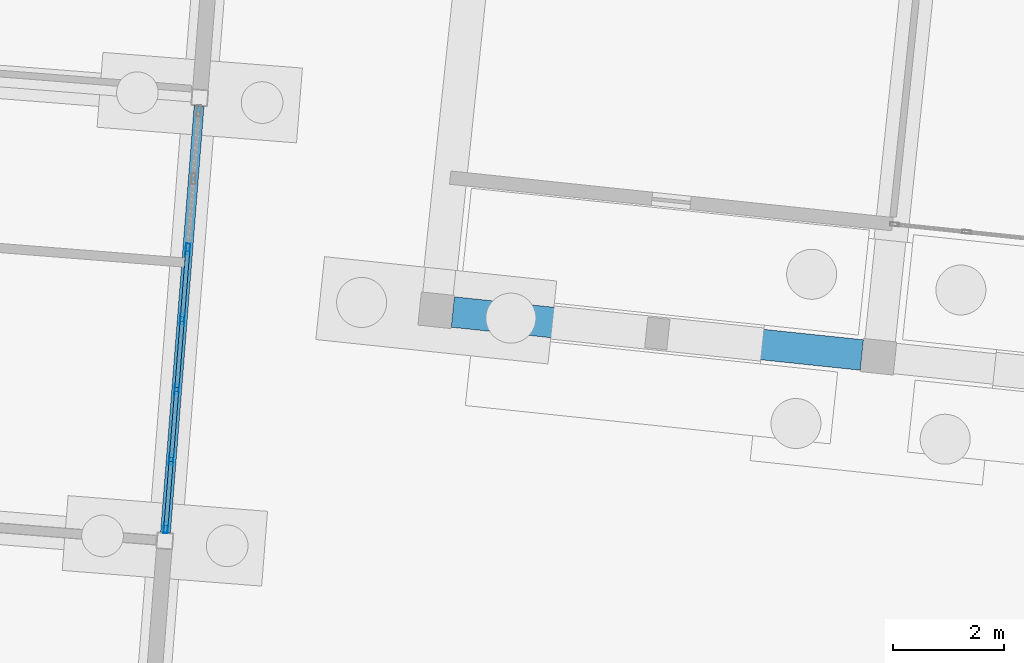
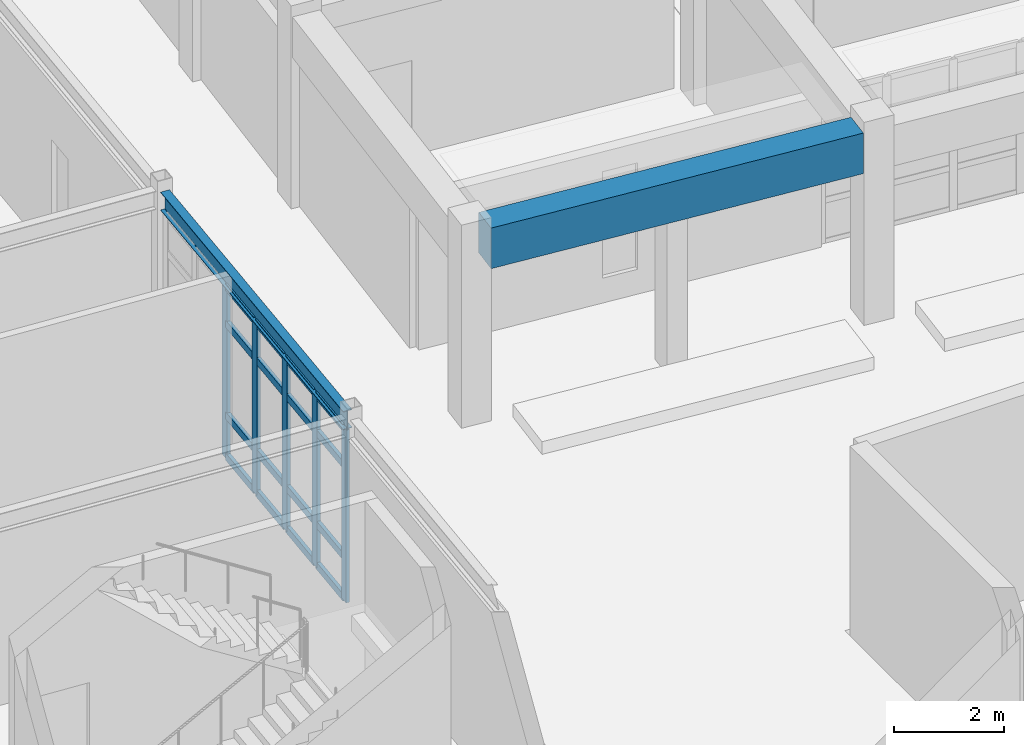
# One storey, part 75 of 154: 21 members, 2 beams, 1 element without a shape of its own.
"""IFC4 building model written with IfcOpenShell, lengths in metres."""

from ifc_helpers import new_model, si_unit, direction, frame, origin, origin_2d, place, context, subcontext, project, spatial, rectangle, hollow_rectangle, i_section, extrude, material, material_profile, profile_set, type_object, element, aggregate, save


model = new_model("IFC4")

# Units and contexts
model_context = context("Model", 3, precision=1e-05, world=origin(), true_north=direction((0.0, 1.0)))
body_context = subcontext(model_context, "Body", "Model", "MODEL_VIEW")
ifc_project = project(units=[si_unit("LENGTHUNIT", "METRE"), si_unit("AREAUNIT", "SQUARE_METRE"), si_unit("VOLUMEUNIT", "CUBIC_METRE"), si_unit("PLANEANGLEUNIT", "RADIAN"), si_unit("MASSUNIT", "GRAM", prefix="KILO")], contexts=[model_context])

# Site, building, storey
site_placement = place(None, origin())
site = spatial("IfcSite", under=ifc_project, at=site_placement, CompositionType="ELEMENT")
building_placement = place(site_placement, origin())
building = spatial("IfcBuilding", under=site, at=building_placement, Name="Kestramere Prow Commons", CompositionType="ELEMENT")
storey_placement = place(building_placement, origin())
storey = spatial("IfcBuildingStorey", under=building, at=storey_placement, Name="L00", CompositionType="ELEMENT", Elevation=0.0)

# Beam
ifc_material_1 = material(Name="Steel S355JR", Category="steel")
ifc_material_profile_1 = material_profile(ifc_material_1, i_section(OverallWidth=0.177978515625, OverallDepth=0.406494140625, WebThickness=0.0078125, FlangeThickness=0.0126953125, FilletRadius=0.01025390625, at=origin_2d()), Name="UB 406x178x60")
ifc_profile_set_1 = profile_set([ifc_material_profile_1], Name="Steel S355JR")
beam_type_1 = type_object("IfcBeamType", Name="BM-NR-01 UB 406x178x60 (EX)", PredefinedType="BEAM", material=ifc_profile_set_1)
beam_1_placement = place(storey_placement, frame((105.12841796875, 90.80029296875, 4.046875), z_axis=(0.078473620365, 0.996916190513, 0.0), x_axis=(-0.996916190513, 0.078473620365, 0.0)))
element("IfcBeam", 1, at=beam_1_placement, inside=storey, type_object=beam_type_1, Name="Nursery L00 Beam V 5-2", PredefinedType="BEAM", context=body_context, shape_type="SweptSolid", body=[
    extrude(i_section(OverallWidth=0.177978515625, OverallDepth=0.406494140625, WebThickness=0.0078125, FlangeThickness=0.0126953125, FilletRadius=0.01025390625, at=origin_2d()), origin(), (0.0, 0.0, 1.0), 7.699951171875),
])

# Curtain wall, members
ifc_material_2 = material(Name="Anodised Aluminium and Low-E Glass", Category="aluminium")
curtain_wall_type = type_object("IfcCurtainWallType", Name="CW-14 Glazed Curtain Wall 7600x3830", PredefinedType="USERDEFINED", material=ifc_material_2)
curtain_wall_placement = place(storey_placement, origin())
curtain_wall = element("IfcCurtainWall", 2, at=curtain_wall_placement, inside=storey, type_object=curtain_wall_type, Name="Nursery L00 E End Glazing", ObjectType="GLAZED CURTAIN WALL", PredefinedType="USERDEFINED")
ifc_material_3 = material(Name="Anodised Aluminium 6063-T6", Category="aluminium")
ifc_material_profile_2 = material_profile(ifc_material_3, hollow_rectangle(XDim=0.074951171875, YDim=0.199951171875, WallThickness=0.0048828125, at=origin_2d()), Name="ALU-MUL 75x200")
ifc_profile_set_2 = profile_set([ifc_material_profile_2], Name="Anodised Aluminium 6063-T6")
member_type_1 = type_object("IfcMemberType", Name="CW-MUL-75x200", PredefinedType="MULLION", material=ifc_profile_set_2)
member_1_placement = place(storey_placement, frame((105.530029296875, 95.901123046875, 0.0), z_axis=(0.0, 0.0, 1.0), x_axis=(0.996917334449, -0.078459086628, 0.0)))
member_1 = element("IfcMember", 3, at=member_1_placement, type_object=member_type_1, Name="CW-14 mullion 3", PredefinedType="MULLION", context=body_context, shape_type="SweptSolid", body=[
    extrude(hollow_rectangle(XDim=0.074951171875, YDim=0.199951171875, WallThickness=0.0048828125, at=origin_2d()), origin(), (0.0, 0.0, 1.0), 3.830078125),
])
member_2_placement = place(storey_placement, frame((105.430419921875, 94.638427734375, 0.0), z_axis=(0.0, 0.0, 1.0), x_axis=(0.996917334449, -0.078459086628, 0.0)))
member_2 = element("IfcMember", 4, at=member_2_placement, type_object=member_type_1, Name="CW-14 mullion 4", PredefinedType="MULLION", context=body_context, shape_type="SweptSolid", body=[
    extrude(hollow_rectangle(XDim=0.074951171875, YDim=0.199951171875, WallThickness=0.0048828125, at=origin_2d()), origin(), (0.0, 0.0, 1.0), 3.830078125),
])
member_3_placement = place(storey_placement, frame((105.3310546875, 93.375732421875, 0.0), z_axis=(0.0, 0.0, 1.0), x_axis=(0.996917334449, -0.078459086628, 0.0)))
member_3 = element("IfcMember", 5, at=member_3_placement, type_object=member_type_1, Name="CW-14 mullion 5", PredefinedType="MULLION", context=body_context, shape_type="SweptSolid", body=[
    extrude(hollow_rectangle(XDim=0.074951171875, YDim=0.199951171875, WallThickness=0.0048828125, at=origin_2d()), origin(), (0.0, 0.0, 1.0), 3.830078125),
])
member_4_placement = place(storey_placement, frame((105.231689453125, 92.113037109375, 0.0), z_axis=(0.0, 0.0, 1.0), x_axis=(0.996917334449, -0.078459086628, 0.0)))
member_4 = element("IfcMember", 6, at=member_4_placement, type_object=member_type_1, Name="CW-14 mullion 6", PredefinedType="MULLION", context=body_context, shape_type="SweptSolid", body=[
    extrude(hollow_rectangle(XDim=0.074951171875, YDim=0.199951171875, WallThickness=0.0048828125, at=origin_2d()), origin(), (0.0, 0.0, 1.0), 3.830078125),
])
member_5_placement = place(storey_placement, frame((105.13525390625, 90.8876953125, 0.0), z_axis=(0.0, 0.0, 1.0), x_axis=(0.996917334449, -0.078459086628, 0.0)))
member_5 = element("IfcMember", 7, at=member_5_placement, type_object=member_type_1, Name="CW-14 mullion 7", PredefinedType="MULLION", context=body_context, shape_type="SweptSolid", body=[
    extrude(hollow_rectangle(XDim=0.074951171875, YDim=0.199951171875, WallThickness=0.0048828125, at=origin_2d()), origin(), (0.0, 0.0, 1.0), 3.830078125),
])
ifc_material_profile_3 = material_profile(ifc_material_3, hollow_rectangle(XDim=0.074951171875, YDim=0.159912109375, WallThickness=0.0048828125, at=origin_2d()), Name="ALU-TRN 75x160")
ifc_profile_set_3 = profile_set([ifc_material_profile_3], Name="Anodised Aluminium 6063-T6")
member_type_2 = type_object("IfcMemberType", Name="CW-TRN-75x160", PredefinedType="USERDEFINED", material=ifc_profile_set_3)
member_6_placement = place(storey_placement, frame((105.52685546875, 95.86376953125, 0.03759765625), z_axis=(-0.078263112644, -0.996932738553, 0.0), x_axis=(0.996932738553, -0.078263112644, 0.0)))
member_6 = element("IfcMember", 8, at=member_6_placement, type_object=member_type_2, Name="CW-14 transom 3.1", ObjectType="TRANSOM", PredefinedType="USERDEFINED", context=body_context, shape_type="SweptSolid", body=[
    extrude(hollow_rectangle(XDim=0.074951171875, YDim=0.159912109375, WallThickness=0.0048828125, at=origin_2d()), origin(), (0.0, 0.0, 1.0), 1.191650390625),
])
member_7_placement = place(storey_placement, frame((105.52685546875, 95.86376953125, 0.949951171875), z_axis=(-0.078263112644, -0.996932738553, 0.0), x_axis=(0.996932738553, -0.078263112644, 0.0)))
member_7 = element("IfcMember", 9, at=member_7_placement, type_object=member_type_2, Name="CW-14 transom 3.2", ObjectType="TRANSOM", PredefinedType="USERDEFINED", context=body_context, shape_type="SweptSolid", body=[
    extrude(hollow_rectangle(XDim=0.074951171875, YDim=0.159912109375, WallThickness=0.0048828125, at=origin_2d()), origin(), (0.0, 0.0, 1.0), 1.191650390625),
])
member_8_placement = place(storey_placement, frame((105.52685546875, 95.86376953125, 2.97998046875), z_axis=(-0.078263112644, -0.996932738553, 0.0), x_axis=(0.996932738553, -0.078263112644, 0.0)))
member_8 = element("IfcMember", 10, at=member_8_placement, type_object=member_type_2, Name="CW-14 transom 3.3", ObjectType="TRANSOM", PredefinedType="USERDEFINED", context=body_context, shape_type="SweptSolid", body=[
    extrude(hollow_rectangle(XDim=0.074951171875, YDim=0.159912109375, WallThickness=0.0048828125, at=origin_2d()), origin(), (0.0, 0.0, 1.0), 1.191650390625),
])
member_9_placement = place(storey_placement, frame((105.52685546875, 95.86376953125, 3.79248046875), z_axis=(-0.078263112644, -0.996932738553, 0.0), x_axis=(0.996932738553, -0.078263112644, 0.0)))
member_9 = element("IfcMember", 11, at=member_9_placement, type_object=member_type_2, Name="CW-14 transom 3.4", ObjectType="TRANSOM", PredefinedType="USERDEFINED", context=body_context, shape_type="SweptSolid", body=[
    extrude(hollow_rectangle(XDim=0.074951171875, YDim=0.159912109375, WallThickness=0.0048828125, at=origin_2d()), origin(), (0.0, 0.0, 1.0), 1.191650390625),
])
member_10_placement = place(storey_placement, frame((105.427490234375, 94.60107421875, 0.03759765625), z_axis=(-0.078466730104, -0.996916732865, 0.0), x_axis=(0.996916732865, -0.078466730104, 0.0)))
member_10 = element("IfcMember", 12, at=member_10_placement, type_object=member_type_2, Name="CW-14 transom 4.1", ObjectType="TRANSOM", PredefinedType="USERDEFINED", context=body_context, shape_type="SweptSolid", body=[
    extrude(hollow_rectangle(XDim=0.074951171875, YDim=0.159912109375, WallThickness=0.0048828125, at=origin_2d()), origin(), (0.0, 0.0, 1.0), 1.191650390625),
])
member_11_placement = place(storey_placement, frame((105.427490234375, 94.60107421875, 0.949951171875), z_axis=(-0.078466730104, -0.996916732865, 0.0), x_axis=(0.996916732865, -0.078466730104, 0.0)))
member_11 = element("IfcMember", 13, at=member_11_placement, type_object=member_type_2, Name="CW-14 transom 4.2", ObjectType="TRANSOM", PredefinedType="USERDEFINED", context=body_context, shape_type="SweptSolid", body=[
    extrude(hollow_rectangle(XDim=0.074951171875, YDim=0.159912109375, WallThickness=0.0048828125, at=origin_2d()), origin(), (0.0, 0.0, 1.0), 1.191650390625),
])
member_12_placement = place(storey_placement, frame((105.427490234375, 94.60107421875, 2.97998046875), z_axis=(-0.078466730104, -0.996916732865, 0.0), x_axis=(0.996916732865, -0.078466730104, 0.0)))
member_12 = element("IfcMember", 14, at=member_12_placement, type_object=member_type_2, Name="CW-14 transom 4.3", ObjectType="TRANSOM", PredefinedType="USERDEFINED", context=body_context, shape_type="SweptSolid", body=[
    extrude(hollow_rectangle(XDim=0.074951171875, YDim=0.159912109375, WallThickness=0.0048828125, at=origin_2d()), origin(), (0.0, 0.0, 1.0), 1.191650390625),
])
member_13_placement = place(storey_placement, frame((105.427490234375, 94.60107421875, 3.79248046875), z_axis=(-0.078466730104, -0.996916732865, 0.0), x_axis=(0.996916732865, -0.078466730104, 0.0)))
member_13 = element("IfcMember", 15, at=member_13_placement, type_object=member_type_2, Name="CW-14 transom 4.4", ObjectType="TRANSOM", PredefinedType="USERDEFINED", context=body_context, shape_type="SweptSolid", body=[
    extrude(hollow_rectangle(XDim=0.074951171875, YDim=0.159912109375, WallThickness=0.0048828125, at=origin_2d()), origin(), (0.0, 0.0, 1.0), 1.191650390625),
])
member_14_placement = place(storey_placement, frame((105.328125, 93.33837890625, 0.03759765625), z_axis=(-0.078466730104, -0.996916732865, 0.0), x_axis=(0.996916732865, -0.078466730104, 0.0)))
member_14 = element("IfcMember", 16, at=member_14_placement, type_object=member_type_2, Name="CW-14 transom 5.1", ObjectType="TRANSOM", PredefinedType="USERDEFINED", context=body_context, shape_type="SweptSolid", body=[
    extrude(hollow_rectangle(XDim=0.074951171875, YDim=0.159912109375, WallThickness=0.0048828125, at=origin_2d()), origin(), (0.0, 0.0, 1.0), 1.191650390625),
])
member_15_placement = place(storey_placement, frame((105.328125, 93.33837890625, 0.949951171875), z_axis=(-0.078466730104, -0.996916732865, 0.0), x_axis=(0.996916732865, -0.078466730104, 0.0)))
member_15 = element("IfcMember", 17, at=member_15_placement, type_object=member_type_2, Name="CW-14 transom 5.2", ObjectType="TRANSOM", PredefinedType="USERDEFINED", context=body_context, shape_type="SweptSolid", body=[
    extrude(hollow_rectangle(XDim=0.074951171875, YDim=0.159912109375, WallThickness=0.0048828125, at=origin_2d()), origin(), (0.0, 0.0, 1.0), 1.191650390625),
])
member_16_placement = place(storey_placement, frame((105.328125, 93.33837890625, 2.97998046875), z_axis=(-0.078466730104, -0.996916732865, 0.0), x_axis=(0.996916732865, -0.078466730104, 0.0)))
member_16 = element("IfcMember", 18, at=member_16_placement, type_object=member_type_2, Name="CW-14 transom 5.3", ObjectType="TRANSOM", PredefinedType="USERDEFINED", context=body_context, shape_type="SweptSolid", body=[
    extrude(hollow_rectangle(XDim=0.074951171875, YDim=0.159912109375, WallThickness=0.0048828125, at=origin_2d()), origin(), (0.0, 0.0, 1.0), 1.191650390625),
])
member_17_placement = place(storey_placement, frame((105.328125, 93.33837890625, 3.79248046875), z_axis=(-0.078466730104, -0.996916732865, 0.0), x_axis=(0.996916732865, -0.078466730104, 0.0)))
member_17 = element("IfcMember", 19, at=member_17_placement, type_object=member_type_2, Name="CW-14 transom 5.4", ObjectType="TRANSOM", PredefinedType="USERDEFINED", context=body_context, shape_type="SweptSolid", body=[
    extrude(hollow_rectangle(XDim=0.074951171875, YDim=0.159912109375, WallThickness=0.0048828125, at=origin_2d()), origin(), (0.0, 0.0, 1.0), 1.191650390625),
])
member_18_placement = place(storey_placement, frame((105.228759765625, 92.07568359375, 0.03759765625), z_axis=(-0.078475672976, -0.996916028937, 0.0), x_axis=(0.996916028937, -0.078475672976, 0.0)))
member_18 = element("IfcMember", 20, at=member_18_placement, type_object=member_type_2, Name="CW-14 transom 6.1", ObjectType="TRANSOM", PredefinedType="USERDEFINED", context=body_context, shape_type="SweptSolid", body=[
    extrude(hollow_rectangle(XDim=0.074951171875, YDim=0.159912109375, WallThickness=0.0048828125, at=origin_2d()), origin(), (0.0, 0.0, 1.0), 1.154296875),
])
member_19_placement = place(storey_placement, frame((105.228759765625, 92.07568359375, 0.949951171875), z_axis=(-0.078475672976, -0.996916028937, 0.0), x_axis=(0.996916028937, -0.078475672976, 0.0)))
member_19 = element("IfcMember", 21, at=member_19_placement, type_object=member_type_2, Name="CW-14 transom 6.2", ObjectType="TRANSOM", PredefinedType="USERDEFINED", context=body_context, shape_type="SweptSolid", body=[
    extrude(hollow_rectangle(XDim=0.074951171875, YDim=0.159912109375, WallThickness=0.0048828125, at=origin_2d()), origin(), (0.0, 0.0, 1.0), 1.154296875),
])
member_20_placement = place(storey_placement, frame((105.228759765625, 92.07568359375, 2.97998046875), z_axis=(-0.078475672976, -0.996916028937, 0.0), x_axis=(0.996916028937, -0.078475672976, 0.0)))
member_20 = element("IfcMember", 22, at=member_20_placement, type_object=member_type_2, Name="CW-14 transom 6.3", ObjectType="TRANSOM", PredefinedType="USERDEFINED", context=body_context, shape_type="SweptSolid", body=[
    extrude(hollow_rectangle(XDim=0.074951171875, YDim=0.159912109375, WallThickness=0.0048828125, at=origin_2d()), origin(), (0.0, 0.0, 1.0), 1.154296875),
])
member_21_placement = place(storey_placement, frame((105.228759765625, 92.07568359375, 3.79248046875), z_axis=(-0.078475672976, -0.996916028937, 0.0), x_axis=(0.996916028937, -0.078475672976, 0.0)))
member_21 = element("IfcMember", 23, at=member_21_placement, type_object=member_type_2, Name="CW-14 transom 6.4", ObjectType="TRANSOM", PredefinedType="USERDEFINED", context=body_context, shape_type="SweptSolid", body=[
    extrude(hollow_rectangle(XDim=0.074951171875, YDim=0.159912109375, WallThickness=0.0048828125, at=origin_2d()), origin(), (0.0, 0.0, 1.0), 1.154296875),
])
aggregate(curtain_wall, [member_1, member_2, member_3, member_4, member_5, member_6, member_7, member_8, member_9, member_10, member_11, member_12, member_13, member_14, member_15, member_16, member_17, member_18, member_19, member_20, member_21])

# Beam
ifc_material_4 = material(Name="Precast concrete C40/50", Category="concrete")
ifc_material_profile_4 = material_profile(ifc_material_4, rectangle(XDim=0.550048828125, YDim=0.89990234375, at=origin_2d()), Name="PC-TG 550x900")
ifc_profile_set_4 = profile_set([ifc_material_profile_4], Name="Precast concrete C40/50")
beam_type_2 = type_object("IfcBeamType", Name="TG-01 PC-TG 550x900 (EX)", PredefinedType="BEAM", material=ifc_profile_set_4)
beam_2_placement = place(storey_placement, frame((110.29833984375, 94.7685546875, 3.800048828125), z_axis=(0.994522794159, -0.104519911488, 0.0), x_axis=(0.104519911488, 0.994522794159, 0.0)))
element("IfcBeam", 24, at=beam_2_placement, inside=storey, type_object=beam_type_2, Name="Block B L00 Longitudinal Beam 1-1", PredefinedType="BEAM", context=body_context, shape_type="SweptSolid", body=[
    extrude(rectangle(XDim=0.550048828125, YDim=0.89990234375, at=origin_2d()), origin(), (0.0, 0.0, 1.0), 7.39990234375),
])

save(model, "model.ifc")
